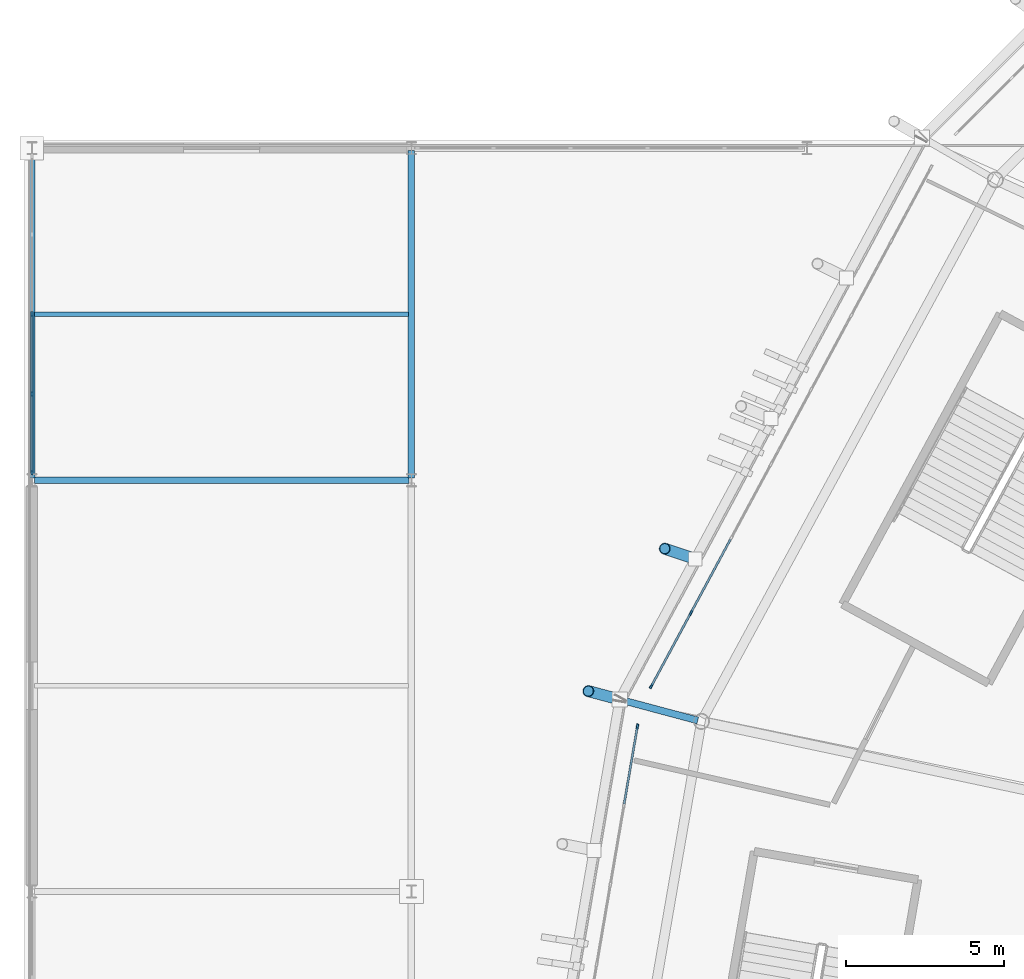
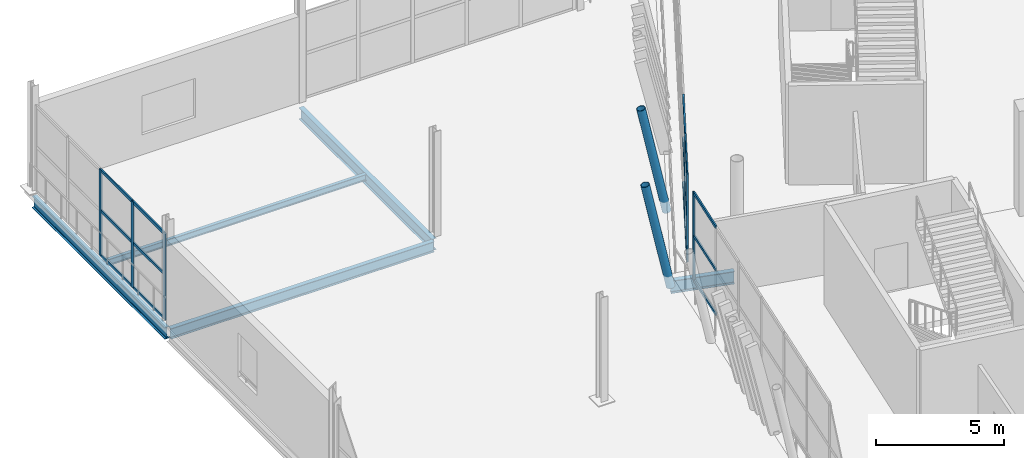
# One storey, part 43 of 179: 23 members, 5 beams, 3 elements without a shape of their own.
"""IFC4 building model written with IfcOpenShell, lengths in metres."""

from ifc_helpers import new_model, si_unit, direction, frame, origin, origin_2d, place, context, subcontext, project, spatial, rectangle, hollow_circle, i_section, extrude, material, material_profile, profile_set, type_object, element, aggregate, save


model = new_model("IFC4")

# Units and contexts
model_context = context("Model", 3, precision=1e-05, world=origin(), true_north=direction((0.0, 1.0)))
body_context = subcontext(model_context, "Body", "Model", "MODEL_VIEW")
ifc_project = project(units=[si_unit("LENGTHUNIT", "METRE"), si_unit("AREAUNIT", "SQUARE_METRE"), si_unit("VOLUMEUNIT", "CUBIC_METRE"), si_unit("PLANEANGLEUNIT", "RADIAN"), si_unit("MASSUNIT", "GRAM", prefix="KILO")], contexts=[model_context])

# Site, building, storey
site_placement = place(None, origin())
site = spatial("IfcSite", under=ifc_project, at=site_placement, CompositionType="ELEMENT")
building_placement = place(site_placement, origin())
building = spatial("IfcBuilding", under=site, at=building_placement, Name="Zlatoyarsky Gate Stadium", CompositionType="ELEMENT")
storey_placement = place(building_placement, frame((0.0, 0.0, 10.60009765625)))
storey = spatial("IfcBuildingStorey", under=building, at=storey_placement, Name="L02", CompositionType="ELEMENT", Elevation=10.60009765625)

# Curtain wall, members
ifc_material_1 = material(Name="Thermally broken anodised aluminium curtain wall", Category="aluminium")
curtain_wall_type_1 = type_object("IfcCurtainWallType", Name="UNITISED HOSPITALITY GLAZING L02", PredefinedType="USERDEFINED", material=ifc_material_1)
curtain_wall_1_placement = place(storey_placement, origin())
curtain_wall_1 = element("IfcCurtainWall", 1, at=curtain_wall_1_placement, inside=storey, type_object=curtain_wall_type_1, Name="Curtain wall CW-L02-10", ObjectType="UNITISED GLAZING", PredefinedType="USERDEFINED")
ifc_material_2 = material(Name="Anodised aluminium 6063-T6", Category="aluminium")
ifc_material_profile_1 = material_profile(ifc_material_2, rectangle(XDim=0.06494140625, YDim=0.159912109375, at=origin_2d()), Name="ALU 65X160")
ifc_profile_set_1 = profile_set([ifc_material_profile_1], Name="Anodised aluminium 6063-T6")
member_type_1 = type_object("IfcMemberType", Name="ALUMINIUM MULLION 65X160", PredefinedType="MULLION", material=ifc_profile_set_1)
member_1_placement = place(storey_placement, frame((20.8359375, 101.810546875, 0.0), z_axis=(0.0, 0.0, 1.0), x_axis=(0.880235853856, -0.474536449165, 0.0)))
member_1 = element("IfcMember", 2, at=member_1_placement, type_object=member_type_1, Name="CW-UG2 mullion 7", PredefinedType="MULLION", context=body_context, shape_type="SweptSolid", body=[
    extrude(rectangle(XDim=0.06494140625, YDim=0.159912109375, at=origin_2d()), origin(), (0.0, 0.0, 1.0), 4.199951171875),
])
member_2_placement = place(storey_placement, frame((19.584228515625, 99.488525390625, 0.0), z_axis=(0.0, 0.0, 1.0), x_axis=(0.880235853856, -0.474536449165, 0.0)))
member_2 = element("IfcMember", 3, at=member_2_placement, type_object=member_type_1, Name="CW-UG2 mullion 8", PredefinedType="MULLION", context=body_context, shape_type="SweptSolid", body=[
    extrude(rectangle(XDim=0.06494140625, YDim=0.159912109375, at=origin_2d()), origin(), (0.0, 0.0, 1.0), 4.199951171875),
])

# Curtain wall, member
curtain_wall_2_placement = place(storey_placement, origin())
curtain_wall_2 = element("IfcCurtainWall", 4, at=curtain_wall_2_placement, inside=storey, type_object=curtain_wall_type_1, Name="Curtain wall CW-L02-11", ObjectType="UNITISED GLAZING", PredefinedType="USERDEFINED")
member_3_placement = place(storey_placement, frame((19.14501953125, 98.21484375, 0.0), z_axis=(0.0, 0.0, 1.0), x_axis=(0.985637221019, -0.168876489016, 0.0)))
member_3 = element("IfcMember", 5, at=member_3_placement, type_object=member_type_1, Name="CW-UG2 mullion 1", PredefinedType="MULLION", context=body_context, shape_type="SweptSolid", body=[
    extrude(rectangle(XDim=0.06494140625, YDim=0.159912109375, at=origin_2d()), origin(), (0.0, 0.0, 1.0), 4.199951171875),
])

# Curtain wall, members
curtain_wall_type_2 = type_object("IfcCurtainWallType", Name="WINTER GARDEN CONSERVATORY GLAZING", PredefinedType="USERDEFINED", material=ifc_material_1)
curtain_wall_3_placement = place(storey_placement, origin())
curtain_wall_3 = element("IfcCurtainWall", 6, at=curtain_wall_3_placement, inside=storey, type_object=curtain_wall_type_2, Name="Curtain wall CW-V4_WEST-L02-170", ObjectType="UNITISED GLAZING", PredefinedType="USERDEFINED")
member_4_placement = place(storey_placement, frame((0.0, 106.244384765625, 0.0), z_axis=(0.0, 0.0, 1.0), x_axis=(-1.0, 0.0, 0.0)))
member_4 = element("IfcMember", 7, at=member_4_placement, type_object=member_type_1, Name="CW-WG1 mullion 1", PredefinedType="MULLION", context=body_context, shape_type="SweptSolid", body=[
    extrude(rectangle(XDim=0.06494140625, YDim=0.159912109375, at=origin_2d()), origin(), (0.0, 0.0, 1.0), 4.099853515625),
])
member_5_placement = place(storey_placement, frame((0.0, 108.73095703125, 0.0), z_axis=(0.0, 0.0, 1.0), x_axis=(-1.0, 0.0, 0.0)))
member_5 = element("IfcMember", 8, at=member_5_placement, type_object=member_type_1, Name="CW-WG1 mullion 2", PredefinedType="MULLION", context=body_context, shape_type="SweptSolid", body=[
    extrude(rectangle(XDim=0.06494140625, YDim=0.159912109375, at=origin_2d()), origin(), (0.0, 0.0, 1.0), 4.099853515625),
])
member_6_placement = place(storey_placement, frame((0.0, 111.25, 0.0), z_axis=(0.0, 0.0, 1.0), x_axis=(-1.0, 0.0, 0.0)))
member_6 = element("IfcMember", 9, at=member_6_placement, type_object=member_type_1, Name="CW-WG1 mullion 3", PredefinedType="MULLION", context=body_context, shape_type="SweptSolid", body=[
    extrude(rectangle(XDim=0.06494140625, YDim=0.159912109375, at=origin_2d()), origin(), (0.0, 0.0, 1.0), 4.099853515625),
])

# Member
ifc_material_profile_2 = material_profile(ifc_material_2, rectangle(XDim=0.06494140625, YDim=0.139892578125, at=origin_2d()), Name="ALU 65X140")
ifc_profile_set_2 = profile_set([ifc_material_profile_2], Name="Anodised aluminium 6063-T6")
member_type_2 = type_object("IfcMemberType", Name="ALUMINIUM TRANSOM 65X140", PredefinedType="USERDEFINED", material=ifc_profile_set_2)
member_7_placement = place(storey_placement, frame((22.087890625, 104.1328125, 0.032470703125), z_axis=(-0.47451326859, -0.880248350145, 0.0), x_axis=(0.880248350145, -0.47451326859, 0.0)))
member_7 = element("IfcMember", 10, at=member_7_placement, type_object=member_type_2, Name="CW-UG2 transom 6.1", ObjectType="TRANSOM", PredefinedType="USERDEFINED", context=body_context, shape_type="SweptSolid", body=[
    extrude(rectangle(XDim=0.06494140625, YDim=0.139892578125, at=origin_2d()), origin(), (0.0, 0.0, 1.0), 2.60546875),
])

member_8_placement = place(storey_placement, frame((22.087890625, 104.1328125, 2.14990234375), z_axis=(-0.47451326859, -0.880248350145, 0.0), x_axis=(0.880248350145, -0.47451326859, 0.0)))
member_8 = element("IfcMember", 11, at=member_8_placement, type_object=member_type_2, Name="CW-UG2 transom 6.2", ObjectType="TRANSOM", PredefinedType="USERDEFINED", context=body_context, shape_type="SweptSolid", body=[
    extrude(rectangle(XDim=0.06494140625, YDim=0.139892578125, at=origin_2d()), origin(), (0.0, 0.0, 1.0), 2.60546875),
])

member_9_placement = place(storey_placement, frame((22.087890625, 104.1328125, 4.16748046875), z_axis=(-0.47451326859, -0.880248350145, 0.0), x_axis=(0.880248350145, -0.47451326859, 0.0)))
member_9 = element("IfcMember", 12, at=member_9_placement, type_object=member_type_2, Name="CW-UG2 transom 6.3", ObjectType="TRANSOM", PredefinedType="USERDEFINED", context=body_context, shape_type="SweptSolid", body=[
    extrude(rectangle(XDim=0.06494140625, YDim=0.139892578125, at=origin_2d()), origin(), (0.0, 0.0, 1.0), 2.60546875),
])

member_10_placement = place(storey_placement, frame((20.820556640625, 101.781982421875, 0.032470703125), z_axis=(-0.474518480893, -0.880245540341, 0.0), x_axis=(0.880245540341, -0.474518480893, 0.0)))
member_10 = element("IfcMember", 13, at=member_10_placement, type_object=member_type_2, Name="CW-UG2 transom 7.1", ObjectType="TRANSOM", PredefinedType="USERDEFINED", context=body_context, shape_type="SweptSolid", body=[
    extrude(rectangle(XDim=0.06494140625, YDim=0.139892578125, at=origin_2d()), origin(), (0.0, 0.0, 1.0), 2.572998046875),
])

member_11_placement = place(storey_placement, frame((20.820556640625, 101.781982421875, 2.14990234375), z_axis=(-0.474518480893, -0.880245540341, 0.0), x_axis=(0.880245540341, -0.474518480893, 0.0)))
member_11 = element("IfcMember", 14, at=member_11_placement, type_object=member_type_2, Name="CW-UG2 transom 7.2", ObjectType="TRANSOM", PredefinedType="USERDEFINED", context=body_context, shape_type="SweptSolid", body=[
    extrude(rectangle(XDim=0.06494140625, YDim=0.139892578125, at=origin_2d()), origin(), (0.0, 0.0, 1.0), 2.572998046875),
])

member_12_placement = place(storey_placement, frame((20.820556640625, 101.781982421875, 4.16748046875), z_axis=(-0.474518480893, -0.880245540341, 0.0), x_axis=(0.880245540341, -0.474518480893, 0.0)))
member_12 = element("IfcMember", 15, at=member_12_placement, type_object=member_type_2, Name="CW-UG2 transom 7.3", ObjectType="TRANSOM", PredefinedType="USERDEFINED", context=body_context, shape_type="SweptSolid", body=[
    extrude(rectangle(XDim=0.06494140625, YDim=0.139892578125, at=origin_2d()), origin(), (0.0, 0.0, 1.0), 2.572998046875),
])

aggregate(curtain_wall_1, [member_1, member_2, member_7, member_8, member_9, member_10, member_11, member_12])

member_13_placement = place(storey_placement, frame((19.139404296875, 98.182861328125, 0.032470703125), z_axis=(-0.168800921484, -0.985650165579, 0.0), x_axis=(0.985650165579, -0.168800921484, 0.0)))
member_13 = element("IfcMember", 16, at=member_13_placement, type_object=member_type_2, Name="CW-UG2 transom 1.1", ObjectType="TRANSOM", PredefinedType="USERDEFINED", context=body_context, shape_type="SweptSolid", body=[
    extrude(rectangle(XDim=0.06494140625, YDim=0.139892578125, at=origin_2d()), origin(), (0.0, 0.0, 1.0), 2.454345703125),
])

member_14_placement = place(storey_placement, frame((19.139404296875, 98.182861328125, 2.14990234375), z_axis=(-0.168800921484, -0.985650165579, 0.0), x_axis=(0.985650165579, -0.168800921484, 0.0)))
member_14 = element("IfcMember", 17, at=member_14_placement, type_object=member_type_2, Name="CW-UG2 transom 1.2", ObjectType="TRANSOM", PredefinedType="USERDEFINED", context=body_context, shape_type="SweptSolid", body=[
    extrude(rectangle(XDim=0.06494140625, YDim=0.139892578125, at=origin_2d()), origin(), (0.0, 0.0, 1.0), 2.454345703125),
])

member_15_placement = place(storey_placement, frame((19.139404296875, 98.182861328125, 4.16748046875), z_axis=(-0.168800921484, -0.985650165579, 0.0), x_axis=(0.985650165579, -0.168800921484, 0.0)))
member_15 = element("IfcMember", 18, at=member_15_placement, type_object=member_type_2, Name="CW-UG2 transom 1.3", ObjectType="TRANSOM", PredefinedType="USERDEFINED", context=body_context, shape_type="SweptSolid", body=[
    extrude(rectangle(XDim=0.06494140625, YDim=0.139892578125, at=origin_2d()), origin(), (0.0, 0.0, 1.0), 2.454345703125),
])

aggregate(curtain_wall_2, [member_3, member_13, member_14, member_15])

member_16_placement = place(storey_placement, frame((0.0, 106.277099609375, 0.032470703125), z_axis=(0.0, 1.0, 0.0), x_axis=(-1.0, 0.0, 0.0)))
member_16 = element("IfcMember", 19, at=member_16_placement, type_object=member_type_2, Name="CW-WG1 transom 1.1", ObjectType="TRANSOM", PredefinedType="USERDEFINED", context=body_context, shape_type="SweptSolid", body=[
    extrude(rectangle(XDim=0.06494140625, YDim=0.139892578125, at=origin_2d()), origin(), (0.0, 0.0, 1.0), 2.42138671875),
])

member_17_placement = place(storey_placement, frame((0.0, 106.277099609375, 2.14990234375), z_axis=(0.0, 1.0, 0.0), x_axis=(-1.0, 0.0, 0.0)))
member_17 = element("IfcMember", 20, at=member_17_placement, type_object=member_type_2, Name="CW-WG1 transom 1.2", ObjectType="TRANSOM", PredefinedType="USERDEFINED", context=body_context, shape_type="SweptSolid", body=[
    extrude(rectangle(XDim=0.06494140625, YDim=0.139892578125, at=origin_2d()), origin(), (0.0, 0.0, 1.0), 2.42138671875),
])

member_18_placement = place(storey_placement, frame((0.0, 106.277099609375, 4.0673828125), z_axis=(0.0, 1.0, 0.0), x_axis=(-1.0, 0.0, 0.0)))
member_18 = element("IfcMember", 21, at=member_18_placement, type_object=member_type_2, Name="CW-WG1 transom 1.3", ObjectType="TRANSOM", PredefinedType="USERDEFINED", context=body_context, shape_type="SweptSolid", body=[
    extrude(rectangle(XDim=0.06494140625, YDim=0.139892578125, at=origin_2d()), origin(), (0.0, 0.0, 1.0), 2.42138671875),
])

member_19_placement = place(storey_placement, frame((0.0, 108.763427734375, 0.032470703125), z_axis=(0.0, 1.0, 0.0), x_axis=(-1.0, 0.0, 0.0)))
member_19 = element("IfcMember", 22, at=member_19_placement, type_object=member_type_2, Name="CW-WG1 transom 2.1", ObjectType="TRANSOM", PredefinedType="USERDEFINED", context=body_context, shape_type="SweptSolid", body=[
    extrude(rectangle(XDim=0.06494140625, YDim=0.139892578125, at=origin_2d()), origin(), (0.0, 0.0, 1.0), 2.4541015625),
])

member_20_placement = place(storey_placement, frame((0.0, 108.763427734375, 2.14990234375), z_axis=(0.0, 1.0, 0.0), x_axis=(-1.0, 0.0, 0.0)))
member_20 = element("IfcMember", 23, at=member_20_placement, type_object=member_type_2, Name="CW-WG1 transom 2.2", ObjectType="TRANSOM", PredefinedType="USERDEFINED", context=body_context, shape_type="SweptSolid", body=[
    extrude(rectangle(XDim=0.06494140625, YDim=0.139892578125, at=origin_2d()), origin(), (0.0, 0.0, 1.0), 2.4541015625),
])

member_21_placement = place(storey_placement, frame((0.0, 108.763427734375, 4.0673828125), z_axis=(0.0, 1.0, 0.0), x_axis=(-1.0, 0.0, 0.0)))
member_21 = element("IfcMember", 24, at=member_21_placement, type_object=member_type_2, Name="CW-WG1 transom 2.3", ObjectType="TRANSOM", PredefinedType="USERDEFINED", context=body_context, shape_type="SweptSolid", body=[
    extrude(rectangle(XDim=0.06494140625, YDim=0.139892578125, at=origin_2d()), origin(), (0.0, 0.0, 1.0), 2.4541015625),
])

aggregate(curtain_wall_3, [member_4, member_5, member_6, member_16, member_17, member_18, member_19, member_20, member_21])

# Beams
ifc_material_3 = material(Name="Steel S355", Category="steel")
ifc_material_profile_3 = material_profile(ifc_material_3, i_section(OverallWidth=0.219970703125, OverallDepth=0.60009765625, WebThickness=0.011962890625, FlangeThickness=0.01904296875, FilletRadius=0.02392578125, at=origin_2d()), Name="IPE 600")
ifc_profile_set_3 = profile_set([ifc_material_profile_3], Name="Steel S355")
beam_type_1 = type_object("IfcBeamType", Name="STEEL CANTILEVER FLOOR BEAM IPE 600", PredefinedType="BEAM", material=ifc_profile_set_3)
beam_1_placement = place(storey_placement, frame((21.052978515625, 98.4072265625, -0.580078125), z_axis=(-0.965937819088, 0.258774283219, 0.0), x_axis=(-0.258774283219, -0.965937819088, 0.0)))
element("IfcBeam", 25, at=beam_1_placement, inside=storey, type_object=beam_type_1, Name="Beam B-IPE600 BM-L02-OUT-11", PredefinedType="BEAM", context=body_context, shape_type="SweptSolid", body=[
    extrude(i_section(OverallWidth=0.219970703125, OverallDepth=0.60009765625, WebThickness=0.011962890625, FlangeThickness=0.01904296875, FilletRadius=0.02392578125, at=origin_2d()), origin(), (0.0, 0.0, 1.0), 2.555908203125),
])
ifc_material_profile_4 = material_profile(ifc_material_3, i_section(OverallWidth=0.199951171875, OverallDepth=0.5, WebThickness=0.01025390625, FlangeThickness=0.01611328125, FilletRadius=0.02099609375, at=origin_2d()), Name="IPE 500")
ifc_profile_set_4 = profile_set([ifc_material_profile_4], Name="Steel S355")
beam_type_2 = type_object("IfcBeamType", Name="STEEL FLOOR BEAM IPE 500", PredefinedType="BEAM", material=ifc_profile_set_4)
beam_2_placement = place(storey_placement, frame((0.080078125, 106.0, -0.530029296875), z_axis=(1.0, 0.0, 0.0), x_axis=(0.0, 1.0, 0.0)))
element("IfcBeam", 26, at=beam_2_placement, inside=storey, type_object=beam_type_2, Name="Beam B-IPE500 BM-L02-WGX-1-K", PredefinedType="BEAM", context=body_context, shape_type="SweptSolid", body=[
    extrude(i_section(OverallWidth=0.199951171875, OverallDepth=0.5, WebThickness=0.01025390625, FlangeThickness=0.01611328125, FilletRadius=0.02099609375, at=origin_2d()), origin(), (0.0, 0.0, 1.0), 11.83984375),
])
ifc_material_profile_5 = material_profile(ifc_material_3, i_section(OverallWidth=0.2099609375, OverallDepth=0.550048828125, WebThickness=0.010986328125, FlangeThickness=0.01708984375, FilletRadius=0.02392578125, at=origin_2d()), Name="IPE 550")
ifc_profile_set_5 = profile_set([ifc_material_profile_5], Name="Steel S355")
beam_type_3 = type_object("IfcBeamType", Name="STEEL FLOOR BEAM IPE 550", PredefinedType="BEAM", material=ifc_profile_set_5)
for number, where, z_axis, x_axis, name in (
    (27, (0.0, 106.080078125, -0.55517578125), (0.0, 1.0, 0.0), (-1.0, 0.0, 0.0), "Beam B-IPE550 BM-L02-WGY-1-K"),
    (28, (12.0, 106.080078125, -0.55517578125), (0.0, 1.0, 0.0), (-1.0, 0.0, 0.0), "Beam B-IPE550 BM-L02-WGY-2-K"),
):
    element("IfcBeam", number, at=place(storey_placement, frame(where, z_axis=z_axis, x_axis=x_axis)), inside=storey, type_object=beam_type_3, Name=name, PredefinedType="BEAM", context=body_context, shape_type="SweptSolid", body=[
        extrude(i_section(OverallWidth=0.2099609375, OverallDepth=0.550048828125, WebThickness=0.010986328125, FlangeThickness=0.01708984375, FilletRadius=0.02392578125, at=origin_2d()), origin(), (0.0, 0.0, 1.0), 10.33984375),
    ])

# Members
ifc_material_profile_6 = material_profile(ifc_material_3, hollow_circle(Radius=0.177734375, WallThickness=0.02001953125, at=origin_2d()), Name="CHS 355.6X20")
ifc_profile_set_6 = profile_set([ifc_material_profile_6], Name="Steel S355")
member_type_3 = type_object("IfcMemberType", Name="STEEL LEANING RIB RING STRUT CHS 355.6X20", PredefinedType="STRUT", material=ifc_profile_set_6)
member_22_placement = place(storey_placement, frame((18.584228515625, 99.068603515625, -0.580078125), z_axis=(-0.194239964978, 0.052087496149, 0.979570175511), x_axis=(-0.259009511327, -0.96587477089, 0.0)))
element("IfcMember", 29, at=member_22_placement, inside=storey, type_object=member_type_3, Name="Leaning ring strut 11 L02 to L03", PredefinedType="STRUT", context=body_context, shape_type="SweptSolid", body=[
    extrude(hollow_circle(Radius=0.177734375, WallThickness=0.02001953125, at=origin_2d()), origin(), (0.0, 0.0, 1.0), 5.104248046875),
])
member_23_placement = place(storey_placement, frame((20.9736328125, 103.510986328125, -0.530029296875), z_axis=(-0.189220720591, 0.064205867771, 0.979833213074), x_axis=(-0.321323184464, -0.946969593559, 0.0)))
element("IfcMember", 30, at=member_23_placement, inside=storey, type_object=member_type_3, Name="Outward-leaning bowl louvre fin rib L02 10-3", PredefinedType="STRUT", context=body_context, shape_type="SweptSolid", body=[
    extrude(hollow_circle(Radius=0.177734375, WallThickness=0.02001953125, at=origin_2d()), origin(), (0.0, 0.0, 1.0), 5.10302734375),
])

# Beam
ifc_material_profile_7 = material_profile(ifc_material_3, i_section(OverallWidth=0.14990234375, OverallDepth=0.300048828125, WebThickness=0.007080078125, FlangeThickness=0.0107421875, FilletRadius=0.014892578125, at=origin_2d()), Name="IPE 300")
ifc_profile_set_7 = profile_set([ifc_material_profile_7], Name="Steel S355")
beam_type_4 = type_object("IfcBeamType", Name="STEEL SECONDARY JOIST IPE 300", PredefinedType="JOIST", material=ifc_profile_set_7)
beam_3_placement = place(storey_placement, frame((0.090087890625, 111.25, -0.43017578125), z_axis=(1.0, 0.0, 0.0), x_axis=(0.0, 1.0, 0.0)))
element("IfcBeam", 31, at=beam_3_placement, inside=storey, type_object=beam_type_4, Name="Beam J-IPE300 JST-L02-1-K", PredefinedType="JOIST", context=body_context, shape_type="SweptSolid", body=[
    extrude(i_section(OverallWidth=0.14990234375, OverallDepth=0.300048828125, WebThickness=0.007080078125, FlangeThickness=0.0107421875, FilletRadius=0.014892578125, at=origin_2d()), origin(), (0.0, 0.0, 1.0), 11.81982421875),
])

save(model, "model.ifc")
